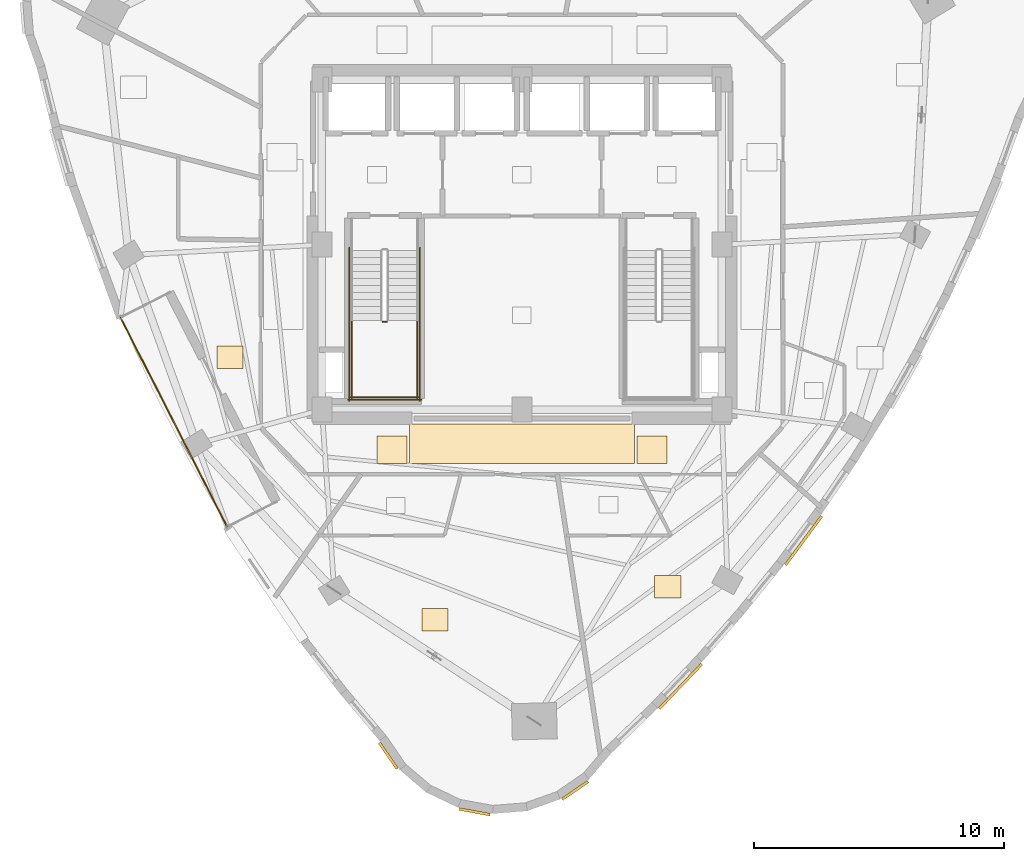
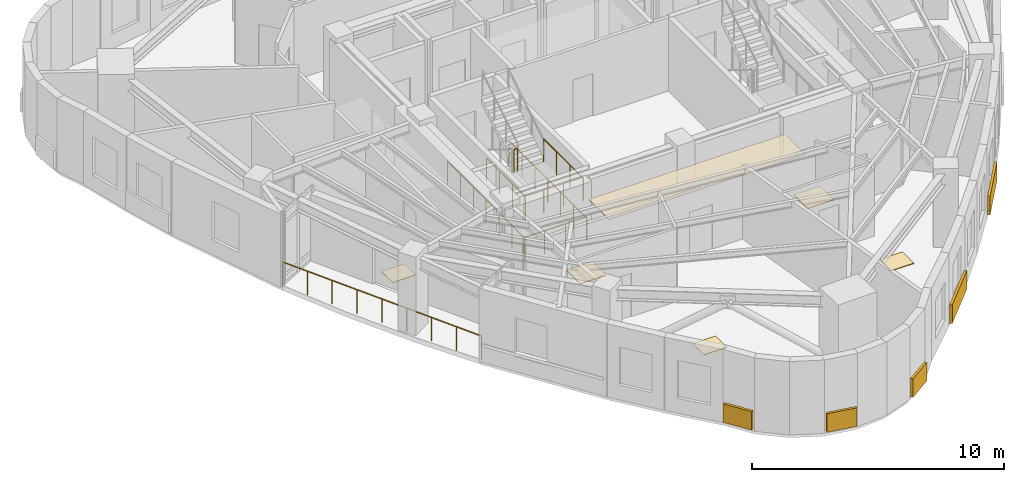
# One storey, part 11 of 13: 11 coverings, 8 railings.
"""IFC4 building model written with IfcOpenShell, lengths in metres."""

from ifc_helpers import new_model, si_unit, direction, frame, origin, origin_2d, place, context, subcontext, project, spatial, rectangle, circle, extrude, material, layer, layer_set, type_object, element, save


model = new_model("IFC4")

# Units and contexts
model_context = context("Model", 3, precision=1e-05, world=origin(), true_north=direction((0.0, 1.0)))
body_context = subcontext(model_context, "Body", "Model", "MODEL_VIEW")
ifc_project = project(units=[si_unit("LENGTHUNIT", "METRE"), si_unit("AREAUNIT", "SQUARE_METRE"), si_unit("VOLUMEUNIT", "CUBIC_METRE"), si_unit("PLANEANGLEUNIT", "RADIAN"), si_unit("MASSUNIT", "GRAM", prefix="KILO")], contexts=[model_context])

# Site, building, storey
site_placement = place(None, origin())
site = spatial("IfcSite", under=ifc_project, at=site_placement, CompositionType="ELEMENT")
building_placement = place(site_placement, origin())
building = spatial("IfcBuilding", under=site, at=building_placement, Name="Ndelora Gate Hotel", CompositionType="ELEMENT")
storey_placement = place(building_placement, frame((0.0, 0.0, 197.949951171875)))
storey = spatial("IfcBuildingStorey", under=building, at=storey_placement, Name="L49", CompositionType="ELEMENT", Elevation=197.949951171875)

# Coverings
ifc_material_1 = material(Name="Perforated Acoustic Gypsum Board", Category="gypsum")
ifc_layer_1 = layer(ifc_material_1, 0.054931640625)
ifc_layer_set_1 = layer_set([ifc_layer_1], Name="Perforated Acoustic Gypsum Board")
covering_type_1 = type_object("IfcCoveringType", Name="COV-CEIL-AC60", PredefinedType="CEILING", material=ifc_layer_set_1)
covering_1_placement = place(storey_placement, frame((0.0, -7.9599609375, 2.65234375), z_axis=(0.0, 0.0, 1.0), x_axis=(1.0, 0.0, 0.0)))
element("IfcCovering", 1, at=covering_1_placement, inside=storey, type_object=covering_type_1, Name="L49 Guest Corridor Acoustic Ceiling S", PredefinedType="CEILING", context=body_context, shape_type="SweptSolid", body=[
    extrude(rectangle(XDim=9.0, YDim=1.580078125, at=origin_2d()), origin(), (0.0, 0.0, 1.0), 0.054931640625),
])
ifc_material_2 = material(Name="Terracotta Fired Clay Brick Slip Cladding", Category="masonry")
ifc_layer_2 = layer(ifc_material_2, 0.110107421875)
ifc_layer_set_2 = layer_set([ifc_layer_2], Name="Terracotta Fired Clay Brick Slip Cladding")
covering_type_2 = type_object("IfcCoveringType", Name="COV-CLAD-BRK", PredefinedType="CLADDING", material=ifc_layer_set_2)
covering_2_placement = place(storey_placement, frame((-5.341064453125, -20.4482421875, 0.10009765625), z_axis=(0.0, 0.0, 1.0), x_axis=(-0.566406236925, 0.824126188622, 0.0)))
element("IfcCovering", 2, at=covering_2_placement, inside=storey, type_object=covering_type_2, Name="L49 Rounded-Corner Brick Cladding Band 19", PredefinedType="CLADDING", context=body_context, shape_type="SweptSolid", body=[
    extrude(rectangle(XDim=1.258056640625, YDim=0.110107421875, at=origin_2d()), origin(), (0.0, 0.0, 1.0), 0.89990234375),
])
for number, where, z_axis, x_axis, name in (
    (3, (-1.8916015625, -22.6884765625, 0.10009765625), (0.0, 0.0, 1.0), (-0.983254907564, 0.182235525492, 0.0), "L49 Rounded-Corner Brick Cladding Band 22"),
    (4, (2.131591796875, -21.833251953125, 0.10009765625), (0.0, 0.0, 1.0), (0.824126188622, 0.566406236925, 0.0), "L49 Rounded-Corner Brick Cladding Band 25"),
):
    element("IfcCovering", number, at=place(storey_placement, frame(where, z_axis=z_axis, x_axis=x_axis)), inside=storey, type_object=covering_type_2, Name=name, PredefinedType="CLADDING", context=body_context, shape_type="SweptSolid", body=[
        extrude(rectangle(XDim=1.257080078125, YDim=0.110107421875, at=origin_2d()), origin(), (0.0, 0.0, 1.0), 0.89990234375),
    ])
covering_3_placement = place(storey_placement, frame((6.34814453125, -17.66845703125, 0.10009765625), z_axis=(0.0, 0.0, 1.0), x_axis=(0.690756218984, 0.723087716626, 0.0)))
element("IfcCovering", 5, at=covering_3_placement, inside=storey, type_object=covering_type_2, Name="L49 Rounded-Corner Brick Cladding Band 28", PredefinedType="CLADDING", context=body_context, shape_type="SweptSolid", body=[
    extrude(rectangle(XDim=2.4599609375, YDim=0.110107421875, at=origin_2d()), origin(), (0.0, 0.0, 1.0), 0.89990234375),
])
covering_4_placement = place(storey_placement, frame((11.2724609375, -11.836181640625, 0.10009765625), z_axis=(0.0, 0.0, 1.0), x_axis=(0.596224874966, 0.802817475191, 0.0)))
element("IfcCovering", 6, at=covering_4_placement, inside=storey, type_object=covering_type_2, Name="L49 Rounded-Corner Brick Cladding Band 31", PredefinedType="CLADDING", context=body_context, shape_type="SweptSolid", body=[
    extrude(rectangle(XDim=2.4208984375, YDim=0.110107421875, at=origin_2d()), origin(), (0.0, 0.0, 1.0), 0.89990234375),
])
ifc_material_3 = material(Name="Engineered Highland Oak Parquet", Category="wood")
ifc_layer_3 = layer(ifc_material_3, 0.030029296875)
ifc_layer_set_3 = layer_set([ifc_layer_3], Name="Engineered Highland Oak Parquet")
covering_type_3 = type_object("IfcCoveringType", Name="COV-FLR-PARQ", PredefinedType="FLOORING", material=ifc_layer_set_3)
for number, where, z_axis, x_axis, name in (
    (7, (-11.674072265625, -4.507080078125, 0.0), (0.0, 0.0, 1.0), (1.0, 0.0, 0.0), "L49 Sky Garden Tea Dining Room Oak Parquet Flooring"),
    (8, (-3.4775390625, -15.001708984375, 0.0), (0.0, 0.0, 1.0), (1.0, 0.0, 0.0), "L49 Grand Corner Suite 5201 Oak Parquet Flooring"),
    (9, (5.8330078125, -13.67529296875, 0.0), (0.0, 0.0, 1.0), (1.0, 0.0, 0.0), "L49 South Panoramic Suite 5202 Oak Parquet Flooring"),
):
    element("IfcCovering", number, at=place(storey_placement, frame(where, z_axis=z_axis, x_axis=x_axis)), inside=storey, type_object=covering_type_3, Name=name, PredefinedType="FLOORING", context=body_context, shape_type="SweptSolid", body=[
        extrude(rectangle(XDim=1.050048828125, YDim=0.89990234375, at=origin_2d()), origin(), (0.0, 0.0, 1.0), 0.030029296875),
    ])
ifc_material_4 = material(Name="Polished Highland Stone Terrazzo", Category="masonry")
ifc_layer_4 = layer(ifc_material_4, 0.034912109375)
ifc_layer_set_4 = layer_set([ifc_layer_4], Name="Polished Highland Stone Terrazzo")
covering_type_4 = type_object("IfcCoveringType", Name="COV-FLR-TERZ", PredefinedType="FLOORING", material=ifc_layer_set_4)
for number, where, z_axis, x_axis, name in (
    (10, (-5.199951171875, -8.199951171875, 0.0), (0.0, 0.0, 1.0), (1.0, 0.0, 0.0), "L49 Corridor Threshold Terrazzo Inlay SW"),
    (11, (5.199951171875, -8.199951171875, 0.0), (0.0, 0.0, 1.0), (1.0, 0.0, 0.0), "L49 Corridor Threshold Terrazzo Inlay SE"),
):
    element("IfcCovering", number, at=place(storey_placement, frame(where, z_axis=z_axis, x_axis=x_axis)), inside=storey, type_object=covering_type_4, Name=name, PredefinedType="FLOORING", context=body_context, shape_type="SweptSolid", body=[
        extrude(rectangle(XDim=1.199951171875, YDim=1.10009765625, at=origin_2d()), origin(), (0.0, 0.0, 1.0), 0.034912109375),
    ])

# Railings
ifc_material_5 = material(Name="Laminated Safety Glass and Bronze Top Rail", Category="glass")
ifc_layer_5 = layer(ifc_material_5, 0.070068359375)
ifc_layer_set_5 = layer_set([ifc_layer_5], Name="Laminated Safety Glass and Bronze Top Rail")
railing_type_1 = type_object("IfcRailingType", Name="RL-BAL-1150", PredefinedType="BALUSTRADE", material=ifc_layer_set_5)
railing_1_placement = place(storey_placement, frame((-16.06005859375, -2.908203125, 0.0)))
element("IfcRailing", 12, at=railing_1_placement, inside=storey, type_object=railing_type_1, Name="L49 Sky-Garden Loggia Terrace Balustrade", PredefinedType="BALUSTRADE", context=body_context, shape_type="SweptSolid", body=[
    extrude(circle(Radius=0.02392578125, at=origin_2d()), frame((0.0, 0.0, 1.1357421875), z_axis=(0.453995034503, -0.891004213596, 0.0), x_axis=(0.891004213596, 0.453995034503, 0.0)), (0.0, 0.0, 1.0), 9.400146484375),
    extrude(circle(Radius=0.02099609375, at=origin_2d()), origin(), (0.0, 0.0, 1.0), 1.11181640625),
    extrude(circle(Radius=0.02099609375, at=origin_2d()), frame((0.533447265625, -1.046875, 0.0)), (0.0, 0.0, 1.0), 1.11181640625),
    extrude(circle(Radius=0.02099609375, at=origin_2d()), frame((1.06689453125, -2.09375, 0.0)), (0.0, 0.0, 1.0), 1.11181640625),
    extrude(circle(Radius=0.02099609375, at=origin_2d()), frame((1.600341796875, -3.140869140625, 0.0)), (0.0, 0.0, 1.0), 1.11181640625),
    extrude(circle(Radius=0.02099609375, at=origin_2d()), frame((2.1337890625, -4.187744140625, 0.0)), (0.0, 0.0, 1.0), 1.11181640625),
    extrude(circle(Radius=0.02099609375, at=origin_2d()), frame((2.667236328125, -5.234619140625, 0.0)), (0.0, 0.0, 1.0), 1.11181640625),
    extrude(circle(Radius=0.02099609375, at=origin_2d()), frame((3.20068359375, -6.28173828125, 0.0)), (0.0, 0.0, 1.0), 1.11181640625),
    extrude(circle(Radius=0.02099609375, at=origin_2d()), frame((3.734130859375, -7.32861328125, 0.0)), (0.0, 0.0, 1.0), 1.11181640625),
    extrude(circle(Radius=0.02099609375, at=origin_2d()), frame((4.267578125, -8.37548828125, 0.0)), (0.0, 0.0, 1.0), 1.11181640625),
])
ifc_material_6 = material(Name="Painted Galvanized Steel Balustrade", Category="steel")
ifc_layer_6 = layer(ifc_material_6, 0.06005859375)
ifc_layer_set_6 = layer_set([ifc_layer_6], Name="Painted Galvanized Steel Balustrade")
railing_type_2 = type_object("IfcRailingType", Name="RL-STAIR-GD", PredefinedType="GUARDRAIL", material=ifc_layer_set_6)
railing_2_placement = place(storey_placement, frame((-5.570068359375, -3.080078125, 1.900146484375)))
element("IfcRailing", 13, at=railing_2_placement, inside=storey, type_object=railing_type_2, Name="L49 ST4 stair guard 2", PredefinedType="GUARDRAIL", context=body_context, shape_type="SweptSolid", body=[
    extrude(circle(Radius=0.02392578125, at=origin_2d()), frame((0.0, 0.0, 1.10595703125), z_axis=(1.0, 0.0, 0.0), x_axis=(0.0, 1.0, 0.0)), (0.0, 0.0, 1.0), 0.16015625),
    extrude(circle(Radius=0.02099609375, at=origin_2d()), origin(), (0.0, 0.0, 1.0), 1.081787109375),
    extrude(circle(Radius=0.02099609375, at=origin_2d()), frame((0.16015625, 0.0, 0.0)), (0.0, 0.0, 1.0), 1.081787109375),
])
for number, where, name in (
    (14, (-6.800048828125, -3.030029296875, 1.900146484375), "L49 ST4 stair guard 3"),
    (15, (-4.179931640625, -3.030029296875, 1.900146484375), "L49 ST4 stair guard 4"),
):
    element("IfcRailing", number, at=place(storey_placement, frame(where)), inside=storey, type_object=railing_type_2, Name=name, PredefinedType="GUARDRAIL", context=body_context, shape_type="SweptSolid", body=[
        extrude(circle(Radius=0.02392578125, at=origin_2d()), frame((0.0, 0.0, 1.10595703125), z_axis=(0.0, -1.0, 0.0), x_axis=(1.0, 0.0, 0.0)), (0.0, 0.0, 1.0), 3.119873046875),
        extrude(circle(Radius=0.02099609375, at=origin_2d()), origin(), (0.0, 0.0, 1.0), 1.081787109375),
        extrude(circle(Radius=0.02099609375, at=origin_2d()), frame((0.0, -1.0400390625, 0.0)), (0.0, 0.0, 1.0), 1.081787109375),
        extrude(circle(Radius=0.02099609375, at=origin_2d()), frame((0.0, -2.079833984375, 0.0)), (0.0, 0.0, 1.0), 1.081787109375),
        extrude(circle(Radius=0.02099609375, at=origin_2d()), frame((0.0, -3.119873046875, 0.0)), (0.0, 0.0, 1.0), 1.081787109375),
    ])
railing_3_placement = place(storey_placement, frame((-6.85009765625, -6.10009765625, 1.900146484375)))
element("IfcRailing", 16, at=railing_3_placement, inside=storey, type_object=railing_type_2, Name="L49 ST4 stair guard 5", PredefinedType="GUARDRAIL", context=body_context, shape_type="SweptSolid", body=[
    extrude(circle(Radius=0.02392578125, at=origin_2d()), frame((0.0, 0.0, 1.10595703125), z_axis=(1.0, 0.0, 0.0), x_axis=(0.0, 1.0, 0.0)), (0.0, 0.0, 1.0), 2.72021484375),
    extrude(circle(Radius=0.02099609375, at=origin_2d()), origin(), (0.0, 0.0, 1.0), 1.081787109375),
    extrude(circle(Radius=0.02099609375, at=origin_2d()), frame((0.90673828125, 0.0, 0.0)), (0.0, 0.0, 1.0), 1.081787109375),
    extrude(circle(Radius=0.02099609375, at=origin_2d()), frame((1.8134765625, 0.0, 0.0)), (0.0, 0.0, 1.0), 1.081787109375),
    extrude(circle(Radius=0.02099609375, at=origin_2d()), frame((2.72021484375, 0.0, 0.0)), (0.0, 0.0, 1.0), 1.081787109375),
])
for number, where, name in (
    (17, (-6.89990234375, -0.1298828125, 0.0), "L49 ST4 stair guard 10"),
    (18, (-4.080078125, -0.1298828125, 0.0), "L49 ST4 stair guard 11"),
):
    element("IfcRailing", number, at=place(storey_placement, frame(where)), inside=storey, type_object=railing_type_2, Name=name, PredefinedType="GUARDRAIL", context=body_context, shape_type="SweptSolid", body=[
        extrude(circle(Radius=0.02392578125, at=origin_2d()), frame((0.0, 0.0, 1.10595703125), z_axis=(0.0, -1.0, 0.0), x_axis=(1.0, 0.0, 0.0)), (0.0, 0.0, 1.0), 6.1201171875),
        extrude(circle(Radius=0.02099609375, at=origin_2d()), origin(), (0.0, 0.0, 1.0), 1.081787109375),
        extrude(circle(Radius=0.02099609375, at=origin_2d()), frame((0.0, -1.02001953125, 0.0)), (0.0, 0.0, 1.0), 1.081787109375),
        extrude(circle(Radius=0.02099609375, at=origin_2d()), frame((0.0, -2.0400390625, 0.0)), (0.0, 0.0, 1.0), 1.081787109375),
        extrude(circle(Radius=0.02099609375, at=origin_2d()), frame((0.0, -3.06005859375, 0.0)), (0.0, 0.0, 1.0), 1.081787109375),
        extrude(circle(Radius=0.02099609375, at=origin_2d()), frame((0.0, -4.080078125, 0.0)), (0.0, 0.0, 1.0), 1.081787109375),
        extrude(circle(Radius=0.02099609375, at=origin_2d()), frame((0.0, -5.10009765625, 0.0)), (0.0, 0.0, 1.0), 1.081787109375),
        extrude(circle(Radius=0.02099609375, at=origin_2d()), frame((0.0, -6.1201171875, 0.0)), (0.0, 0.0, 1.0), 1.081787109375),
    ])
railing_4_placement = place(storey_placement, frame((-6.949951171875, -6.199951171875, 0.0)))
element("IfcRailing", 19, at=railing_4_placement, inside=storey, type_object=railing_type_2, Name="L49 ST4 stair guard 12", PredefinedType="GUARDRAIL", context=body_context, shape_type="SweptSolid", body=[
    extrude(circle(Radius=0.02392578125, at=origin_2d()), frame((0.0, 0.0, 1.10595703125), z_axis=(1.0, 0.0, 0.0), x_axis=(0.0, 1.0, 0.0)), (0.0, 0.0, 1.0), 2.919921875),
    extrude(circle(Radius=0.02099609375, at=origin_2d()), origin(), (0.0, 0.0, 1.0), 1.081787109375),
    extrude(circle(Radius=0.02099609375, at=origin_2d()), frame((0.973388671875, 0.0, 0.0)), (0.0, 0.0, 1.0), 1.081787109375),
    extrude(circle(Radius=0.02099609375, at=origin_2d()), frame((1.946533203125, 0.0, 0.0)), (0.0, 0.0, 1.0), 1.081787109375),
    extrude(circle(Radius=0.02099609375, at=origin_2d()), frame((2.919921875, 0.0, 0.0)), (0.0, 0.0, 1.0), 1.081787109375),
])

save(model, "model.ifc")
